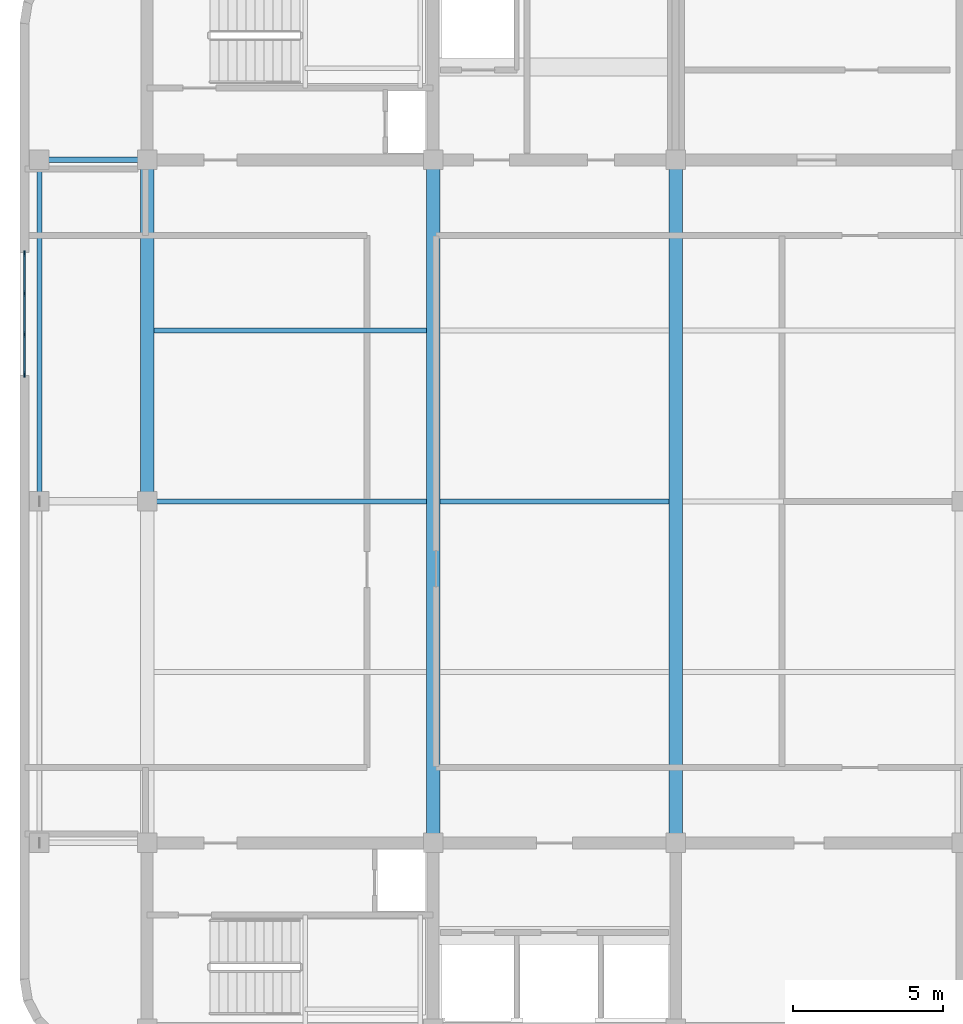
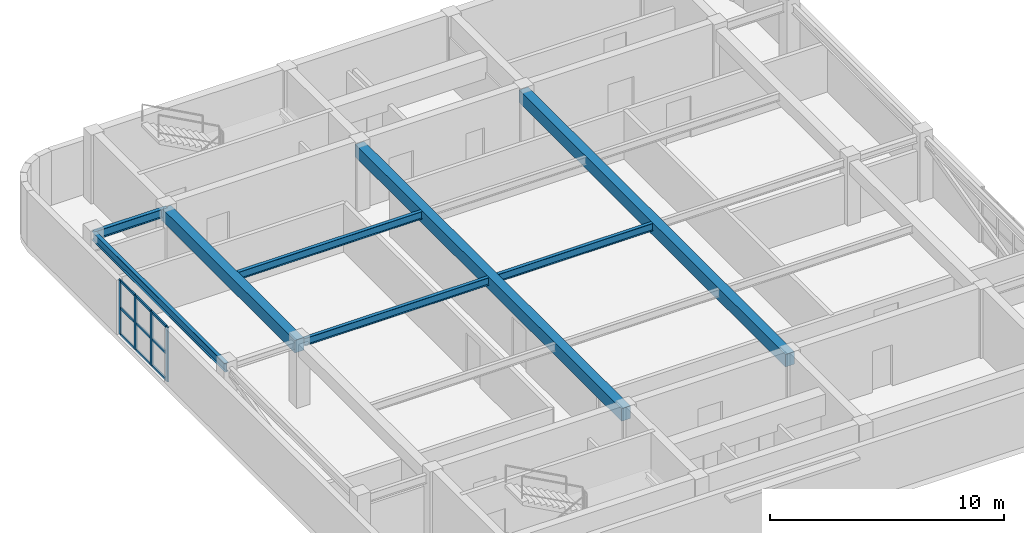
# One storey, part 2 of 9: 13 members, 8 beams, 1 element without a shape of its own.
"""IFC4 building model written with IfcOpenShell, lengths in metres."""

from ifc_helpers import new_model, si_unit, direction, frame, origin, origin_2d, place, context, subcontext, project, spatial, rectangle, i_section, extrude, material, material_profile, profile_set, type_object, element, aggregate, save


model = new_model("IFC4")

# Units and contexts
model_context = context("Model", 3, precision=1e-05, world=origin(), true_north=direction((0.0, 1.0)))
body_context = subcontext(model_context, "Body", "Model", "MODEL_VIEW")
ifc_project = project(units=[si_unit("LENGTHUNIT", "METRE"), si_unit("AREAUNIT", "SQUARE_METRE"), si_unit("VOLUMEUNIT", "CUBIC_METRE"), si_unit("PLANEANGLEUNIT", "RADIAN"), si_unit("MASSUNIT", "GRAM", prefix="KILO")], contexts=[model_context])

# Site, building, storey
site_placement = place(None, origin())
site = spatial("IfcSite", under=ifc_project, at=site_placement, CompositionType="ELEMENT")
building_placement = place(site_placement, origin())
building = spatial("IfcBuilding", under=site, at=building_placement, Name="Svetorya Sky Lyceum", CompositionType="ELEMENT")
storey_placement = place(building_placement, frame((0.0, 0.0, 305.60009765625)))
storey = spatial("IfcBuildingStorey", under=building, at=storey_placement, Name="C02", CompositionType="ELEMENT", Elevation=305.60009765625)

# Beams
ifc_material_1 = material(Name="Concrete C40/50", Category="concrete")
ifc_material_profile_1 = material_profile(ifc_material_1, rectangle(XDim=0.449951171875, YDim=0.64990234375, at=origin_2d()), Name="RC BEAM 450x650")
ifc_profile_set_1 = profile_set([ifc_material_profile_1], Name="Concrete C40/50")
beam_type_1 = type_object("IfcBeamType", Name="BM-RC-650", PredefinedType="BEAM", material=ifc_profile_set_1)
beam_1_placement = place(storey_placement, frame((25.60009765625, 28.199951171875, 2.994873046875), z_axis=(0.0, 1.0, 0.0), x_axis=(-1.0, 0.0, 0.0)))
element("IfcBeam", 1, at=beam_1_placement, inside=storey, type_object=beam_type_1, Name="C02 Central Bay Primary Girder CG-1B", PredefinedType="BEAM", context=body_context, shape_type="SweptSolid", body=[
    extrude(rectangle(XDim=0.449951171875, YDim=0.64990234375, at=origin_2d()), origin(), (0.0, 0.0, 1.0), 11.400146484375),
])
for number, where, z_axis, x_axis, name in (
    (2, (35.14990234375, 16.800048828125, 2.994873046875), (0.0, 1.0, 0.0), (-1.0, 0.0, 0.0), "C02 Central Bay Primary Girder CG-2"),
    (3, (43.25, 16.800048828125, 2.994873046875), (0.0, 1.0, 0.0), (-1.0, 0.0, 0.0), "C02 Central Bay Primary Girder CG-3"),
):
    element("IfcBeam", number, at=place(storey_placement, frame(where, z_axis=z_axis, x_axis=x_axis)), inside=storey, type_object=beam_type_1, Name=name, PredefinedType="BEAM", context=body_context, shape_type="SweptSolid", body=[
        extrude(rectangle(XDim=0.449951171875, YDim=0.64990234375, at=origin_2d()), origin(), (0.0, 0.0, 1.0), 22.800048828125),
    ])
ifc_material_2 = material(Name="Steel S355", Category="steel")
ifc_material_profile_2 = material_profile(ifc_material_2, i_section(OverallWidth=0.1650390625, OverallDepth=0.39990234375, WebThickness=0.008056640625, FlangeThickness=0.012939453125, at=origin_2d()), Name="GOST 40B2")
ifc_profile_set_2 = profile_set([ifc_material_profile_2], Name="Steel S355")
beam_type_2 = type_object("IfcBeamType", Name="BM-STL-40B2", PredefinedType="JOIST", material=ifc_profile_set_2)
beam_2_placement = place(storey_placement, frame((25.824951171875, 28.199951171875, 3.119873046875), z_axis=(1.0, 0.0, 0.0), x_axis=(0.0, 1.0, 0.0)))
element("IfcBeam", 4, at=beam_2_placement, inside=storey, type_object=beam_type_2, Name="C02 Central Floor Joist CJ-2.1", PredefinedType="JOIST", context=body_context, shape_type="SweptSolid", body=[
    extrude(i_section(OverallWidth=0.1650390625, OverallDepth=0.39990234375, WebThickness=0.008056640625, FlangeThickness=0.012939453125, at=origin_2d()), origin(), (0.0, 0.0, 1.0), 9.10009765625),
])
beam_3_placement = place(storey_placement, frame((35.375, 28.199951171875, 3.119873046875), z_axis=(1.0, 0.0, 0.0), x_axis=(0.0, 1.0, 0.0)))
element("IfcBeam", 5, at=beam_3_placement, inside=storey, type_object=beam_type_2, Name="C02 Central Floor Joist CJ-2.2", PredefinedType="JOIST", context=body_context, shape_type="SweptSolid", body=[
    extrude(i_section(OverallWidth=0.1650390625, OverallDepth=0.39990234375, WebThickness=0.008056640625, FlangeThickness=0.012939453125, at=origin_2d()), origin(), (0.0, 0.0, 1.0), 7.64990234375),
])
beam_4_placement = place(storey_placement, frame((25.824951171875, 33.89990234375, 3.119873046875), z_axis=(1.0, 0.0, 0.0), x_axis=(0.0, 1.0, 0.0)))
element("IfcBeam", 6, at=beam_4_placement, inside=storey, type_object=beam_type_2, Name="C02 Central Floor Joist CJ-3.1", PredefinedType="JOIST", context=body_context, shape_type="SweptSolid", body=[
    extrude(i_section(OverallWidth=0.1650390625, OverallDepth=0.39990234375, WebThickness=0.008056640625, FlangeThickness=0.012939453125, at=origin_2d()), origin(), (0.0, 0.0, 1.0), 9.10009765625),
])
ifc_material_profile_3 = material_profile(ifc_material_2, i_section(OverallWidth=0.179931640625, OverallDepth=0.449951171875, WebThickness=0.009033203125, FlangeThickness=0.014404296875, at=origin_2d()), Name="GOST 45B2")
ifc_profile_set_3 = profile_set([ifc_material_profile_3], Name="Steel S355")
beam_type_3 = type_object("IfcBeamType", Name="BM-STL-45B2", PredefinedType="SPANDREL", material=ifc_profile_set_3)
beam_5_placement = place(storey_placement, frame((22.010009765625, 39.60009765625, 3.094970703125), z_axis=(1.0, 0.0, 0.0), x_axis=(0.0, 1.0, 0.0)))
element("IfcBeam", 7, at=beam_5_placement, inside=storey, type_object=beam_type_3, Name="C02 Tie Spandrel NW", PredefinedType="SPANDREL", context=body_context, shape_type="SweptSolid", body=[
    extrude(i_section(OverallWidth=0.179931640625, OverallDepth=0.449951171875, WebThickness=0.009033203125, FlangeThickness=0.014404296875, at=origin_2d()), origin(), (0.0, 0.0, 1.0), 3.590087890625),
])
beam_6_placement = place(storey_placement, frame((22.010009765625, 28.199951171875, 3.094970703125), z_axis=(0.0, 1.0, 0.0), x_axis=(-1.0, 0.0, 0.0)))
element("IfcBeam", 8, at=beam_6_placement, inside=storey, type_object=beam_type_3, Name="C02 West Spandrel 2", PredefinedType="SPANDREL", context=body_context, shape_type="SweptSolid", body=[
    extrude(i_section(OverallWidth=0.179931640625, OverallDepth=0.449951171875, WebThickness=0.009033203125, FlangeThickness=0.014404296875, at=origin_2d()), origin(), (0.0, 0.0, 1.0), 11.400146484375),
])

# Curtain wall, members
ifc_material_3 = material(Name="Thermally broken anodized aluminium and triple low-E glass", Category="aluminium")
curtain_wall_type = type_object("IfcCurtainWallType", Name="CW5-LVR-PLT", PredefinedType="NOTDEFINED", material=ifc_material_3)
curtain_wall_placement = place(storey_placement, origin())
curtain_wall = element("IfcCurtainWall", 9, at=curtain_wall_placement, inside=storey, type_object=curtain_wall_type, Name="C02 Acoustic Plant Louvre Curtain Wall 24", PredefinedType="NOTDEFINED")
ifc_material_4 = material(Name="Thermally broken anodized aluminium EN AW-6060", Category="aluminium")
ifc_material_profile_4 = material_profile(ifc_material_4, rectangle(XDim=0.06494140625, YDim=0.179931640625, at=origin_2d()), Name="ALU MULLION 65x180")
ifc_profile_set_4 = profile_set([ifc_material_profile_4], Name="Thermally broken anodized aluminium EN AW-6060")
member_type_1 = type_object("IfcMemberType", Name="CWM-MUL-180", PredefinedType="MULLION", material=ifc_profile_set_4)
member_1_placement = place(storey_placement, frame((21.510009765625, 36.467529296875, 0.0), z_axis=(0.0, 0.0, 1.0), x_axis=(1.0, 0.0, 0.0)))
member_1 = element("IfcMember", 10, at=member_1_placement, type_object=member_type_1, Name="CW-5 mullion 1", PredefinedType="MULLION", context=body_context, shape_type="SweptSolid", body=[
    extrude(rectangle(XDim=0.06494140625, YDim=0.179931640625, at=origin_2d()), origin(), (0.0, 0.0, 1.0), 2.83984375),
])
member_2_placement = place(storey_placement, frame((21.510009765625, 35.13330078125, 0.0), z_axis=(0.0, 0.0, 1.0), x_axis=(1.0, 0.0, 0.0)))
member_2 = element("IfcMember", 11, at=member_2_placement, type_object=member_type_1, Name="CW-5 mullion 2", PredefinedType="MULLION", context=body_context, shape_type="SweptSolid", body=[
    extrude(rectangle(XDim=0.06494140625, YDim=0.179931640625, at=origin_2d()), origin(), (0.0, 0.0, 1.0), 2.83984375),
])
member_3_placement = place(storey_placement, frame((21.510009765625, 33.7666015625, 0.0), z_axis=(0.0, 0.0, 1.0), x_axis=(1.0, 0.0, 0.0)))
member_3 = element("IfcMember", 12, at=member_3_placement, type_object=member_type_1, Name="CW-5 mullion 3", PredefinedType="MULLION", context=body_context, shape_type="SweptSolid", body=[
    extrude(rectangle(XDim=0.06494140625, YDim=0.179931640625, at=origin_2d()), origin(), (0.0, 0.0, 1.0), 2.83984375),
])
member_4_placement = place(storey_placement, frame((21.510009765625, 32.4326171875, 0.0), z_axis=(0.0, 0.0, 1.0), x_axis=(1.0, 0.0, 0.0)))
member_4 = element("IfcMember", 13, at=member_4_placement, type_object=member_type_1, Name="CW-5 mullion 4", PredefinedType="MULLION", context=body_context, shape_type="SweptSolid", body=[
    extrude(rectangle(XDim=0.06494140625, YDim=0.179931640625, at=origin_2d()), origin(), (0.0, 0.0, 1.0), 2.83984375),
])
ifc_material_profile_5 = material_profile(ifc_material_4, rectangle(XDim=0.06494140625, YDim=0.139892578125, at=origin_2d()), Name="ALU TRANSOM 65x140")
ifc_profile_set_5 = profile_set([ifc_material_profile_5], Name="Thermally broken anodized aluminium EN AW-6060")
member_type_2 = type_object("IfcMemberType", Name="CWM-TRN-140", PredefinedType="USERDEFINED", material=ifc_profile_set_5)
member_5_placement = place(storey_placement, frame((21.510009765625, 36.4365234375, 0.032470703125), z_axis=(0.0, -1.0, 0.0), x_axis=(1.0, 0.0, 0.0)))
member_5 = element("IfcMember", 14, at=member_5_placement, type_object=member_type_2, Name="CW-5 transom 1.1", ObjectType="TRANSOM", PredefinedType="USERDEFINED", context=body_context, shape_type="SweptSolid", body=[
    extrude(rectangle(XDim=0.06494140625, YDim=0.139892578125, at=origin_2d()), origin(), (0.0, 0.0, 1.0), 1.272216796875),
])
member_6_placement = place(storey_placement, frame((21.510009765625, 36.4365234375, 1.419921875), z_axis=(0.0, -1.0, 0.0), x_axis=(1.0, 0.0, 0.0)))
member_6 = element("IfcMember", 15, at=member_6_placement, type_object=member_type_2, Name="CW-5 transom 1.2", ObjectType="TRANSOM", PredefinedType="USERDEFINED", context=body_context, shape_type="SweptSolid", body=[
    extrude(rectangle(XDim=0.06494140625, YDim=0.139892578125, at=origin_2d()), origin(), (0.0, 0.0, 1.0), 1.272216796875),
])
member_7_placement = place(storey_placement, frame((21.510009765625, 36.4365234375, 2.807373046875), z_axis=(0.0, -1.0, 0.0), x_axis=(1.0, 0.0, 0.0)))
member_7 = element("IfcMember", 16, at=member_7_placement, type_object=member_type_2, Name="CW-5 transom 1.3", ObjectType="TRANSOM", PredefinedType="USERDEFINED", context=body_context, shape_type="SweptSolid", body=[
    extrude(rectangle(XDim=0.06494140625, YDim=0.139892578125, at=origin_2d()), origin(), (0.0, 0.0, 1.0), 1.272216796875),
])
member_8_placement = place(storey_placement, frame((21.510009765625, 35.102294921875, 0.032470703125), z_axis=(0.0, -1.0, 0.0), x_axis=(1.0, 0.0, 0.0)))
member_8 = element("IfcMember", 17, at=member_8_placement, type_object=member_type_2, Name="CW-5 transom 2.1", ObjectType="TRANSOM", PredefinedType="USERDEFINED", context=body_context, shape_type="SweptSolid", body=[
    extrude(rectangle(XDim=0.06494140625, YDim=0.139892578125, at=origin_2d()), origin(), (0.0, 0.0, 1.0), 1.3046875),
])
member_9_placement = place(storey_placement, frame((21.510009765625, 35.102294921875, 1.419921875), z_axis=(0.0, -1.0, 0.0), x_axis=(1.0, 0.0, 0.0)))
member_9 = element("IfcMember", 18, at=member_9_placement, type_object=member_type_2, Name="CW-5 transom 2.2", ObjectType="TRANSOM", PredefinedType="USERDEFINED", context=body_context, shape_type="SweptSolid", body=[
    extrude(rectangle(XDim=0.06494140625, YDim=0.139892578125, at=origin_2d()), origin(), (0.0, 0.0, 1.0), 1.3046875),
])
member_10_placement = place(storey_placement, frame((21.510009765625, 35.102294921875, 2.807373046875), z_axis=(0.0, -1.0, 0.0), x_axis=(1.0, 0.0, 0.0)))
member_10 = element("IfcMember", 19, at=member_10_placement, type_object=member_type_2, Name="CW-5 transom 2.3", ObjectType="TRANSOM", PredefinedType="USERDEFINED", context=body_context, shape_type="SweptSolid", body=[
    extrude(rectangle(XDim=0.06494140625, YDim=0.139892578125, at=origin_2d()), origin(), (0.0, 0.0, 1.0), 1.3046875),
])
member_11_placement = place(storey_placement, frame((21.510009765625, 33.735595703125, 0.032470703125), z_axis=(0.0, -1.0, 0.0), x_axis=(1.0, 0.0, 0.0)))
member_11 = element("IfcMember", 20, at=member_11_placement, type_object=member_type_2, Name="CW-5 transom 3.1", ObjectType="TRANSOM", PredefinedType="USERDEFINED", context=body_context, shape_type="SweptSolid", body=[
    extrude(rectangle(XDim=0.06494140625, YDim=0.139892578125, at=origin_2d()), origin(), (0.0, 0.0, 1.0), 1.272216796875),
])
member_12_placement = place(storey_placement, frame((21.510009765625, 33.735595703125, 1.419921875), z_axis=(0.0, -1.0, 0.0), x_axis=(1.0, 0.0, 0.0)))
member_12 = element("IfcMember", 21, at=member_12_placement, type_object=member_type_2, Name="CW-5 transom 3.2", ObjectType="TRANSOM", PredefinedType="USERDEFINED", context=body_context, shape_type="SweptSolid", body=[
    extrude(rectangle(XDim=0.06494140625, YDim=0.139892578125, at=origin_2d()), origin(), (0.0, 0.0, 1.0), 1.272216796875),
])
member_13_placement = place(storey_placement, frame((21.510009765625, 33.735595703125, 2.807373046875), z_axis=(0.0, -1.0, 0.0), x_axis=(1.0, 0.0, 0.0)))
member_13 = element("IfcMember", 22, at=member_13_placement, type_object=member_type_2, Name="CW-5 transom 3.3", ObjectType="TRANSOM", PredefinedType="USERDEFINED", context=body_context, shape_type="SweptSolid", body=[
    extrude(rectangle(XDim=0.06494140625, YDim=0.139892578125, at=origin_2d()), origin(), (0.0, 0.0, 1.0), 1.272216796875),
])
aggregate(curtain_wall, [member_1, member_2, member_3, member_4, member_5, member_6, member_7, member_8, member_9, member_10, member_11, member_12, member_13])

save(model, "model.ifc")
